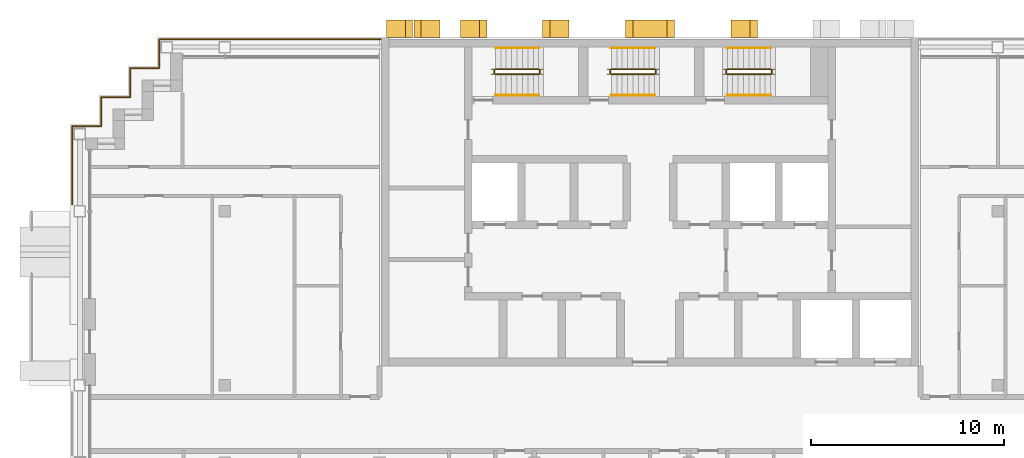
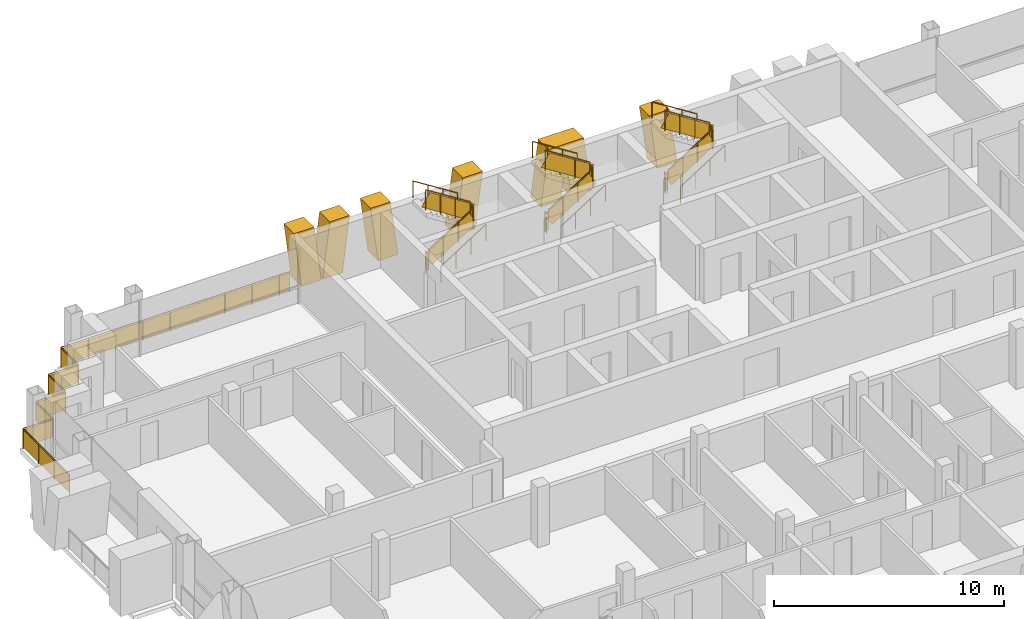
# One storey, part 15 of 16: 21 railings, 6 shading devices.
"""IFC4 building model written with IfcOpenShell, lengths in metres."""

from ifc_helpers import new_model, si_unit, direction, frame, origin, origin_2d, place, context, subcontext, project, spatial, polyline, rectangle, circle, outline, extrude, material, layer, layer_set, type_object, element, save


model = new_model("IFC4")

# Units and contexts
model_context = context("Model", 3, precision=1e-05, world=origin(), true_north=direction((0.0, 1.0)))
body_context = subcontext(model_context, "Body", "Model", "MODEL_VIEW")
ifc_project = project(units=[si_unit("LENGTHUNIT", "METRE"), si_unit("AREAUNIT", "SQUARE_METRE"), si_unit("VOLUMEUNIT", "CUBIC_METRE"), si_unit("PLANEANGLEUNIT", "RADIAN"), si_unit("MASSUNIT", "GRAM", prefix="KILO")], contexts=[model_context])

# Site, building, storey
site_placement = place(None, origin())
site = spatial("IfcSite", under=ifc_project, at=site_placement, CompositionType="ELEMENT")
building_placement = place(site_placement, origin())
building = spatial("IfcBuilding", under=site, at=building_placement, Name="Vidyagriha Tower", CompositionType="ELEMENT")
storey_placement = place(building_placement, frame((0.0, 0.0, 223.60009765625)))
storey = spatial("IfcBuildingStorey", under=building, at=storey_placement, Name="L58", CompositionType="ELEMENT", Elevation=223.60009765625)

# Shading devices
ifc_material_1 = material(Name="Precast concrete C40/50 with brick facing", Category="concrete")
ifc_layer_1 = layer(ifc_material_1, 1.0)
ifc_layer_set_1 = layer_set([ifc_layer_1], Name="Precast concrete C40/50 with brick facing")
shading_device_type_1 = type_object("IfcShadingDeviceType", Name="Brick-faced rear rib arm leaning 8 degrees", PredefinedType="USERDEFINED", material=ifc_layer_set_1)
for number, where, z_axis, x_axis, name in (
    (1, (5.5712890625, 20.449951171875, 0.0), (0.0, 0.0, 1.0), (-1.0, 0.0, 0.0), "Rear rib arm L58 R08.2a"),
    (2, (-8.4287109375, 20.449951171875, 0.0), (0.0, 0.0, 1.0), (-1.0, 0.0, 0.0), "Rear rib arm L58 R08.4a"),
):
    element("IfcShadingDevice", number, at=place(storey_placement, frame(where, z_axis=z_axis, x_axis=x_axis)), inside=storey, type_object=shading_device_type_1, Name=name, ObjectType="BLADE FIN", PredefinedType="USERDEFINED", context=body_context, shape_type="SweptSolid", body=[
        extrude(outline(polyline([(0.0, 0.0), (1.0, 0.0), (1.3857421875, 2.919921875), (0.3857421875, 2.919921875), (0.0, 0.0)])), frame((0.0, 0.449951171875, 0.0), z_axis=(0.0, -1.0, 0.0), x_axis=(1.0, 0.0, 0.0)), (0.0, 0.0, 1.0), 0.89990234375),
    ])
shading_device_1_placement = place(storey_placement, frame((-4.185791015625, 20.449951171875, 0.0), z_axis=(0.0, 0.0, 1.0), x_axis=(-1.0, 0.0, 0.0)))
element("IfcShadingDevice", 3, at=shading_device_1_placement, inside=storey, type_object=shading_device_type_1, Name="Rear rib arm L58 R08.4b", ObjectType="BLADE FIN", PredefinedType="USERDEFINED", context=body_context, shape_type="SweptSolid", body=[
    extrude(outline(polyline([(0.3857421875, 0.0), (1.3857421875, 0.0), (1.0, 2.919921875), (0.0, 2.919921875), (0.3857421875, 0.0)])), frame((0.0, 0.449951171875, 0.0), z_axis=(0.0, -1.0, 0.0), x_axis=(1.0, 0.0, 0.0)), (0.0, 0.0, 1.0), 0.89990234375),
])
shading_device_2_placement = place(storey_placement, frame((-12.28564453125, 20.449951171875, 0.0), z_axis=(0.0, 0.0, 1.0), x_axis=(-1.0, 0.0, 0.0)))
element("IfcShadingDevice", 4, at=shading_device_2_placement, inside=storey, type_object=shading_device_type_1, Name="Rear rib arm L58 R08.5a", ObjectType="BLADE FIN", PredefinedType="USERDEFINED", context=body_context, shape_type="SweptSolid", body=[
    extrude(outline(polyline([(0.0, 0.0), (1.0, 0.0), (1.357177734375, 2.919921875), (0.357177734375, 2.919921875), (0.0, 0.0)])), frame((0.0, 0.449951171875, 0.0), z_axis=(0.0, -1.0, 0.0), x_axis=(1.0, 0.0, 0.0)), (0.0, 0.0, 1.0), 0.89990234375),
])
shading_device_3_placement = place(storey_placement, frame((-10.857177734375, 20.449951171875, 0.0), z_axis=(0.0, 0.0, 1.0), x_axis=(-1.0, 0.0, 0.0)))
element("IfcShadingDevice", 5, at=shading_device_3_placement, inside=storey, type_object=shading_device_type_1, Name="Rear rib arm L58 R08.5b", ObjectType="BLADE FIN", PredefinedType="USERDEFINED", context=body_context, shape_type="SweptSolid", body=[
    extrude(outline(polyline([(0.357177734375, 0.0), (1.357177734375, 0.0), (1.0, 2.919921875), (0.0, 2.919921875), (0.357177734375, 0.0)])), frame((0.0, 0.449951171875, 0.0), z_axis=(0.0, -1.0, 0.0), x_axis=(1.0, 0.0, 0.0)), (0.0, 0.0, 1.0), 0.89990234375),
])
ifc_material_2 = material(Name="Precast concrete C40/50 with brick facing", Category="concrete")
ifc_layer_2 = layer(ifc_material_2, 1.0)
ifc_layer_set_2 = layer_set([ifc_layer_2], Name="Precast concrete C40/50 with brick facing")
shading_device_type_2 = type_object("IfcShadingDeviceType", Name="Brick-faced rear rib forking 8 degrees", PredefinedType="USERDEFINED", material=ifc_layer_set_2)
shading_device_4_placement = place(storey_placement, frame((1.271484375, 20.449951171875, 0.0), z_axis=(0.0, 0.0, 1.0), x_axis=(-1.0, 0.0, 0.0)))
element("IfcShadingDevice", 6, at=shading_device_4_placement, inside=storey, type_object=shading_device_type_2, Name="Rear rib fork L58 R08.3a", ObjectType="BLADE FIN", PredefinedType="USERDEFINED", context=body_context, shape_type="SweptSolid", body=[
    extrude(outline(polyline([(1.0, 0.0), (1.271484375, 2.0546875), (1.542724609375, 0.0), (2.542724609375, 0.0), (2.156982421875, 2.919921875), (0.3857421875, 2.919921875), (0.0, 0.0), (1.0, 0.0)])), frame((0.0, 0.449951171875, 0.0), z_axis=(0.0, -1.0, 0.0), x_axis=(1.0, 0.0, 0.0)), (0.0, 0.0, 1.0), 0.89990234375),
])

# Railings
ifc_material_3 = material(Name="Steel ASTM A500 Grade C black painted", Category="steel")
railing_type_1 = type_object("IfcRailingType", Name="Gallery guard 1100", PredefinedType="GUARDRAIL", material=ifc_material_3)
railing_1_placement = place(storey_placement, frame((-29.89990234375, 11.360107421875, 0.0)))
element("IfcRailing", 7, at=railing_1_placement, inside=storey, type_object=railing_type_1, Name="Gallery guard L58 4", PredefinedType="GUARDRAIL", context=body_context, shape_type="SweptSolid", body=[
    extrude(circle(Radius=0.02490234375, at=origin_2d()), frame((0.0, 0.0, 1.0751953125), z_axis=(0.0, 1.0, 0.0), x_axis=(-1.0, 0.0, 0.0)), (0.0, 0.0, 1.0), 4.039794921875),
    extrude(circle(Radius=0.02490234375, at=origin_2d()), frame((0.0, 4.039794921875, 1.0751953125), z_axis=(1.0, 0.0, 0.0), x_axis=(0.0, 1.0, 0.0)), (0.0, 0.0, 1.0), 1.5),
    extrude(circle(Radius=0.02490234375, at=origin_2d()), frame((1.5, 4.039794921875, 1.0751953125), z_axis=(0.0, 1.0, 0.0), x_axis=(-1.0, 0.0, 0.0)), (0.0, 0.0, 1.0), 1.5),
    extrude(circle(Radius=0.02490234375, at=origin_2d()), frame((1.5, 5.539794921875, 1.0751953125), z_axis=(1.0, 0.0, 0.0), x_axis=(0.0, 1.0, 0.0)), (0.0, 0.0, 1.0), 1.5),
    extrude(circle(Radius=0.02490234375, at=origin_2d()), frame((3.0, 5.539794921875, 1.0751953125), z_axis=(0.0, 1.0, 0.0), x_axis=(-1.0, 0.0, 0.0)), (0.0, 0.0, 1.0), 1.5),
    extrude(circle(Radius=0.02490234375, at=origin_2d()), frame((3.0, 7.039794921875, 1.0751953125), z_axis=(1.0, 0.0, 0.0), x_axis=(0.0, 1.0, 0.0)), (0.0, 0.0, 1.0), 1.5),
    extrude(circle(Radius=0.02490234375, at=origin_2d()), frame((4.5, 7.039794921875, 1.0751953125), z_axis=(0.0, 1.0, 0.0), x_axis=(-1.0, 0.0, 0.0)), (0.0, 0.0, 1.0), 0.460205078125),
    extrude(circle(Radius=0.02001953125, at=origin_2d()), origin(), (0.0, 0.0, 1.0), 1.050048828125),
    extrude(circle(Radius=0.02001953125, at=origin_2d()), frame((0.0, 1.3466796875, 0.0)), (0.0, 0.0, 1.0), 1.050048828125),
    extrude(circle(Radius=0.02001953125, at=origin_2d()), frame((0.0, 2.693115234375, 0.0)), (0.0, 0.0, 1.0), 1.050048828125),
    extrude(circle(Radius=0.02001953125, at=origin_2d()), frame((0.0, 4.039794921875, 0.0)), (0.0, 0.0, 1.0), 1.050048828125),
    extrude(circle(Radius=0.02001953125, at=origin_2d()), frame((1.5, 4.039794921875, 0.0)), (0.0, 0.0, 1.0), 1.050048828125),
    extrude(circle(Radius=0.02001953125, at=origin_2d()), frame((1.5, 5.539794921875, 0.0)), (0.0, 0.0, 1.0), 1.050048828125),
    extrude(circle(Radius=0.02001953125, at=origin_2d()), frame((3.0, 5.539794921875, 0.0)), (0.0, 0.0, 1.0), 1.050048828125),
    extrude(circle(Radius=0.02001953125, at=origin_2d()), frame((3.0, 7.039794921875, 0.0)), (0.0, 0.0, 1.0), 1.050048828125),
    extrude(circle(Radius=0.02001953125, at=origin_2d()), frame((4.5, 7.039794921875, 0.0)), (0.0, 0.0, 1.0), 1.050048828125),
    extrude(circle(Radius=0.02001953125, at=origin_2d()), frame((4.5, 7.5, 0.0)), (0.0, 0.0, 1.0), 1.050048828125),
    extrude(rectangle(XDim=0.010009765625, YDim=0.900146484375, at=origin_2d()), frame((0.0, 0.0, 0.550048828125), z_axis=(0.0, 1.0, 0.0), x_axis=(-1.0, 0.0, 0.0)), (0.0, 0.0, 1.0), 4.039794921875),
    extrude(rectangle(XDim=0.010009765625, YDim=0.900146484375, at=origin_2d()), frame((0.0, 4.039794921875, 0.550048828125), z_axis=(1.0, 0.0, 0.0), x_axis=(0.0, 1.0, 0.0)), (0.0, 0.0, 1.0), 1.5),
    extrude(rectangle(XDim=0.010009765625, YDim=0.900146484375, at=origin_2d()), frame((1.5, 4.039794921875, 0.550048828125), z_axis=(0.0, 1.0, 0.0), x_axis=(-1.0, 0.0, 0.0)), (0.0, 0.0, 1.0), 1.5),
    extrude(rectangle(XDim=0.010009765625, YDim=0.900146484375, at=origin_2d()), frame((1.5, 5.539794921875, 0.550048828125), z_axis=(1.0, 0.0, 0.0), x_axis=(0.0, 1.0, 0.0)), (0.0, 0.0, 1.0), 1.5),
    extrude(rectangle(XDim=0.010009765625, YDim=0.900146484375, at=origin_2d()), frame((3.0, 5.539794921875, 0.550048828125), z_axis=(0.0, 1.0, 0.0), x_axis=(-1.0, 0.0, 0.0)), (0.0, 0.0, 1.0), 1.5),
    extrude(rectangle(XDim=0.010009765625, YDim=0.900146484375, at=origin_2d()), frame((3.0, 7.039794921875, 0.550048828125), z_axis=(1.0, 0.0, 0.0), x_axis=(0.0, 1.0, 0.0)), (0.0, 0.0, 1.0), 1.5),
    extrude(rectangle(XDim=0.010009765625, YDim=0.900146484375, at=origin_2d()), frame((4.5, 7.039794921875, 0.550048828125), z_axis=(0.0, 1.0, 0.0), x_axis=(-1.0, 0.0, 0.0)), (0.0, 0.0, 1.0), 0.460205078125),
])
railing_2_placement = place(storey_placement, frame((-25.39990234375, 18.860107421875, 0.0)))
element("IfcRailing", 8, at=railing_2_placement, inside=storey, type_object=railing_type_1, Name="Gallery guard L58 5", PredefinedType="GUARDRAIL", context=body_context, shape_type="SweptSolid", body=[
    extrude(circle(Radius=0.02490234375, at=origin_2d()), frame((0.0, 0.0, 1.0751953125), z_axis=(0.0, 1.0, 0.0), x_axis=(-1.0, 0.0, 0.0)), (0.0, 0.0, 1.0), 1.039794921875),
    extrude(circle(Radius=0.02490234375, at=origin_2d()), frame((0.0, 1.039794921875, 1.0751953125), z_axis=(1.0, 0.0, 0.0), x_axis=(0.0, 1.0, 0.0)), (0.0, 0.0, 1.0), 10.9599609375),
    extrude(circle(Radius=0.02001953125, at=origin_2d()), origin(), (0.0, 0.0, 1.0), 1.050048828125),
    extrude(circle(Radius=0.02001953125, at=origin_2d()), frame((0.0, 1.039794921875, 0.0)), (0.0, 0.0, 1.0), 1.050048828125),
    extrude(circle(Radius=0.02001953125, at=origin_2d()), frame((1.3701171875, 1.039794921875, 0.0)), (0.0, 0.0, 1.0), 1.050048828125),
    extrude(circle(Radius=0.02001953125, at=origin_2d()), frame((2.739990234375, 1.039794921875, 0.0)), (0.0, 0.0, 1.0), 1.050048828125),
    extrude(circle(Radius=0.02001953125, at=origin_2d()), frame((4.10986328125, 1.039794921875, 0.0)), (0.0, 0.0, 1.0), 1.050048828125),
    extrude(circle(Radius=0.02001953125, at=origin_2d()), frame((5.47998046875, 1.039794921875, 0.0)), (0.0, 0.0, 1.0), 1.050048828125),
    extrude(circle(Radius=0.02001953125, at=origin_2d()), frame((6.85009765625, 1.039794921875, 0.0)), (0.0, 0.0, 1.0), 1.050048828125),
    extrude(circle(Radius=0.02001953125, at=origin_2d()), frame((8.219970703125, 1.039794921875, 0.0)), (0.0, 0.0, 1.0), 1.050048828125),
    extrude(circle(Radius=0.02001953125, at=origin_2d()), frame((9.58984375, 1.039794921875, 0.0)), (0.0, 0.0, 1.0), 1.050048828125),
    extrude(circle(Radius=0.02001953125, at=origin_2d()), frame((10.9599609375, 1.039794921875, 0.0)), (0.0, 0.0, 1.0), 1.050048828125),
    extrude(rectangle(XDim=0.010009765625, YDim=0.900146484375, at=origin_2d()), frame((0.0, 0.0, 0.550048828125), z_axis=(0.0, 1.0, 0.0), x_axis=(-1.0, 0.0, 0.0)), (0.0, 0.0, 1.0), 1.039794921875),
    extrude(rectangle(XDim=0.010009765625, YDim=0.900146484375, at=origin_2d()), frame((0.0, 1.039794921875, 0.550048828125), z_axis=(1.0, 0.0, 0.0), x_axis=(0.0, 1.0, 0.0)), (0.0, 0.0, 1.0), 10.9599609375),
])
railing_3_placement = place(storey_placement, frame((-14.43994140625, 19.89990234375, 0.0)))
element("IfcRailing", 9, at=railing_3_placement, inside=storey, type_object=railing_type_1, Name="Gallery guard L58 6", PredefinedType="GUARDRAIL", context=body_context, shape_type="SweptSolid", body=[
    extrude(circle(Radius=0.02490234375, at=origin_2d()), frame((0.0, 0.0, 1.0751953125), z_axis=(1.0, 0.0, 0.0), x_axis=(0.0, 1.0, 0.0)), (0.0, 0.0, 1.0), 0.510009765625),
    extrude(circle(Radius=0.02001953125, at=origin_2d()), origin(), (0.0, 0.0, 1.0), 1.050048828125),
    extrude(circle(Radius=0.02001953125, at=origin_2d()), frame((0.510009765625, 0.0, 0.0)), (0.0, 0.0, 1.0), 1.050048828125),
    extrude(rectangle(XDim=0.010009765625, YDim=0.900146484375, at=origin_2d()), frame((0.0, 0.0, 0.550048828125), z_axis=(1.0, 0.0, 0.0), x_axis=(0.0, 1.0, 0.0)), (0.0, 0.0, 1.0), 0.510009765625),
])
ifc_material_4 = material(Name="Steel ASTM A500 Grade C", Category="steel")
railing_type_2 = type_object("IfcRailingType", Name="Stair guard 1100 mm, steel balustrade", PredefinedType="GUARDRAIL", material=ifc_material_4)
railing_4_placement = place(storey_placement, frame((-8.0, 18.10009765625, 0.177734375)))
element("IfcRailing", 10, at=railing_4_placement, inside=storey, type_object=railing_type_2, Name="L58 ST1 stair guard 1", PredefinedType="GUARDRAIL", context=body_context, shape_type="SweptSolid", body=[
    extrude(circle(Radius=0.02392578125, at=origin_2d()), frame((0.0, 0.0, 1.076171875), z_axis=(0.8442293374, 0.0, 0.53598211339), x_axis=(0.0, 1.0, 0.0)), (0.0, 0.0, 1.0), 2.6533203125),
    extrude(circle(Radius=0.02099609375, at=origin_2d()), origin(), (0.0, 0.0, 1.0), 1.052001953125),
    extrude(circle(Radius=0.02099609375, at=origin_2d()), frame((0.74658203125, 0.0, 0.47412109375)), (0.0, 0.0, 1.0), 1.052001953125),
    extrude(circle(Radius=0.02099609375, at=origin_2d()), frame((1.493408203125, 0.0, 0.947998046875)), (0.0, 0.0, 1.0), 1.052001953125),
    extrude(circle(Radius=0.02099609375, at=origin_2d()), frame((2.239990234375, 0.0, 1.422119140625)), (0.0, 0.0, 1.0), 1.052001953125),
    extrude(rectangle(XDim=0.010009765625, YDim=0.761474609375, at=origin_2d()), frame((0.0, 0.0, 0.551025390625), z_axis=(0.8442293374, 0.0, 0.53598211339), x_axis=(0.0, 1.0, 0.0)), (0.0, 0.0, 1.0), 2.6533203125),
])
railing_5_placement = place(storey_placement, frame((-5.7099609375, 18.14990234375, 1.599853515625)))
element("IfcRailing", 11, at=railing_5_placement, inside=storey, type_object=railing_type_2, Name="L58 ST1 stair guard 2", PredefinedType="GUARDRAIL", context=body_context, shape_type="SweptSolid", body=[
    extrude(circle(Radius=0.02392578125, at=origin_2d()), frame((0.0, 0.0, 1.076171875), z_axis=(0.0, 1.0, 0.0), x_axis=(-1.0, 0.0, 0.0)), (0.0, 0.0, 1.0), 0.150146484375),
    extrude(circle(Radius=0.02099609375, at=origin_2d()), origin(), (0.0, 0.0, 1.0), 1.052001953125),
    extrude(circle(Radius=0.02099609375, at=origin_2d()), frame((0.0, 0.150146484375, 0.0)), (0.0, 0.0, 1.0), 1.052001953125),
    extrude(rectangle(XDim=0.010009765625, YDim=0.902099609375, at=origin_2d()), frame((0.0, 0.0, 0.551025390625), z_axis=(0.0, 1.0, 0.0), x_axis=(-1.0, 0.0, 0.0)), (0.0, 0.0, 1.0), 0.150146484375),
])
railing_6_placement = place(storey_placement, frame((-5.760009765625, 18.35009765625, 1.777587890625)))
element("IfcRailing", 12, at=railing_6_placement, inside=storey, type_object=railing_type_2, Name="L58 ST1 stair guard 3", PredefinedType="GUARDRAIL", context=body_context, shape_type="SweptSolid", body=[
    extrude(circle(Radius=0.02392578125, at=origin_2d()), frame((0.0, 0.0, 1.076171875), z_axis=(-0.84418770128, 0.0, 0.536047689118), x_axis=(0.0, -1.0, 0.0)), (0.0, 0.0, 1.0), 2.6533203125),
    extrude(circle(Radius=0.02099609375, at=origin_2d()), origin(), (0.0, 0.0, 1.0), 1.052001953125),
    extrude(circle(Radius=0.02099609375, at=origin_2d()), frame((-0.74658203125, 0.0, 0.47412109375)), (0.0, 0.0, 1.0), 1.052001953125),
    extrude(circle(Radius=0.02099609375, at=origin_2d()), frame((-1.493408203125, 0.0, 0.9482421875)), (0.0, 0.0, 1.0), 1.052001953125),
    extrude(circle(Radius=0.02099609375, at=origin_2d()), frame((-2.239990234375, 0.0, 1.42236328125)), (0.0, 0.0, 1.0), 1.052001953125),
    extrude(rectangle(XDim=0.010009765625, YDim=0.761474609375, at=origin_2d()), frame((0.0, 0.0, 0.551025390625), z_axis=(-0.84418770128, 0.0, 0.536047689118), x_axis=(0.0, -1.0, 0.0)), (0.0, 0.0, 1.0), 2.6533203125),
])
railing_7_placement = place(storey_placement, frame((-8.050048828125, 18.14990234375, 0.0)))
element("IfcRailing", 13, at=railing_7_placement, inside=storey, type_object=railing_type_2, Name="L58 ST1 stair guard 4", PredefinedType="GUARDRAIL", context=body_context, shape_type="SweptSolid", body=[
    extrude(circle(Radius=0.02392578125, at=origin_2d()), frame((0.0, 0.0, 1.076171875), z_axis=(0.0, 1.0, 0.0), x_axis=(-1.0, 0.0, 0.0)), (0.0, 0.0, 1.0), 0.150146484375),
    extrude(circle(Radius=0.02099609375, at=origin_2d()), origin(), (0.0, 0.0, 1.0), 1.052001953125),
    extrude(circle(Radius=0.02099609375, at=origin_2d()), frame((0.0, 0.150146484375, 0.0)), (0.0, 0.0, 1.0), 1.052001953125),
    extrude(rectangle(XDim=0.010009765625, YDim=0.902099609375, at=origin_2d()), frame((0.0, 0.0, 0.551025390625), z_axis=(0.0, 1.0, 0.0), x_axis=(-1.0, 0.0, 0.0)), (0.0, 0.0, 1.0), 0.150146484375),
])
railing_8_placement = place(storey_placement, frame((-2.0, 18.10009765625, 0.177734375)))
element("IfcRailing", 14, at=railing_8_placement, inside=storey, type_object=railing_type_2, Name="L58 ST2 stair guard 1", PredefinedType="GUARDRAIL", context=body_context, shape_type="SweptSolid", body=[
    extrude(circle(Radius=0.02392578125, at=origin_2d()), frame((0.0, 0.0, 1.076171875), z_axis=(0.8442293374, 0.0, 0.53598211339), x_axis=(0.0, 1.0, 0.0)), (0.0, 0.0, 1.0), 2.6533203125),
    extrude(circle(Radius=0.02099609375, at=origin_2d()), origin(), (0.0, 0.0, 1.0), 1.052001953125),
    extrude(circle(Radius=0.02099609375, at=origin_2d()), frame((0.74658203125, 0.0, 0.47412109375)), (0.0, 0.0, 1.0), 1.052001953125),
    extrude(circle(Radius=0.02099609375, at=origin_2d()), frame((1.493408203125, 0.0, 0.947998046875)), (0.0, 0.0, 1.0), 1.052001953125),
    extrude(circle(Radius=0.02099609375, at=origin_2d()), frame((2.239990234375, 0.0, 1.422119140625)), (0.0, 0.0, 1.0), 1.052001953125),
    extrude(rectangle(XDim=0.010009765625, YDim=0.761474609375, at=origin_2d()), frame((0.0, 0.0, 0.551025390625), z_axis=(0.8442293374, 0.0, 0.53598211339), x_axis=(0.0, 1.0, 0.0)), (0.0, 0.0, 1.0), 2.6533203125),
])
railing_9_placement = place(storey_placement, frame((0.2900390625, 18.14990234375, 1.599853515625)))
element("IfcRailing", 15, at=railing_9_placement, inside=storey, type_object=railing_type_2, Name="L58 ST2 stair guard 2", PredefinedType="GUARDRAIL", context=body_context, shape_type="SweptSolid", body=[
    extrude(circle(Radius=0.02392578125, at=origin_2d()), frame((0.0, 0.0, 1.076171875), z_axis=(0.0, 1.0, 0.0), x_axis=(-1.0, 0.0, 0.0)), (0.0, 0.0, 1.0), 0.150146484375),
    extrude(circle(Radius=0.02099609375, at=origin_2d()), origin(), (0.0, 0.0, 1.0), 1.052001953125),
    extrude(circle(Radius=0.02099609375, at=origin_2d()), frame((0.0, 0.150146484375, 0.0)), (0.0, 0.0, 1.0), 1.052001953125),
    extrude(rectangle(XDim=0.010009765625, YDim=0.902099609375, at=origin_2d()), frame((0.0, 0.0, 0.551025390625), z_axis=(0.0, 1.0, 0.0), x_axis=(-1.0, 0.0, 0.0)), (0.0, 0.0, 1.0), 0.150146484375),
])
railing_10_placement = place(storey_placement, frame((0.239990234375, 18.35009765625, 1.777587890625)))
element("IfcRailing", 16, at=railing_10_placement, inside=storey, type_object=railing_type_2, Name="L58 ST2 stair guard 3", PredefinedType="GUARDRAIL", context=body_context, shape_type="SweptSolid", body=[
    extrude(circle(Radius=0.02392578125, at=origin_2d()), frame((0.0, 0.0, 1.076171875), z_axis=(-0.84418770128, 0.0, 0.536047689118), x_axis=(0.0, -1.0, 0.0)), (0.0, 0.0, 1.0), 2.6533203125),
    extrude(circle(Radius=0.02099609375, at=origin_2d()), origin(), (0.0, 0.0, 1.0), 1.052001953125),
    extrude(circle(Radius=0.02099609375, at=origin_2d()), frame((-0.74658203125, 0.0, 0.47412109375)), (0.0, 0.0, 1.0), 1.052001953125),
    extrude(circle(Radius=0.02099609375, at=origin_2d()), frame((-1.493408203125, 0.0, 0.9482421875)), (0.0, 0.0, 1.0), 1.052001953125),
    extrude(circle(Radius=0.02099609375, at=origin_2d()), frame((-2.239990234375, 0.0, 1.42236328125)), (0.0, 0.0, 1.0), 1.052001953125),
    extrude(rectangle(XDim=0.010009765625, YDim=0.761474609375, at=origin_2d()), frame((0.0, 0.0, 0.551025390625), z_axis=(-0.84418770128, 0.0, 0.536047689118), x_axis=(0.0, -1.0, 0.0)), (0.0, 0.0, 1.0), 2.6533203125),
])
railing_11_placement = place(storey_placement, frame((-2.050048828125, 18.14990234375, 0.0)))
element("IfcRailing", 17, at=railing_11_placement, inside=storey, type_object=railing_type_2, Name="L58 ST2 stair guard 4", PredefinedType="GUARDRAIL", context=body_context, shape_type="SweptSolid", body=[
    extrude(circle(Radius=0.02392578125, at=origin_2d()), frame((0.0, 0.0, 1.076171875), z_axis=(0.0, 1.0, 0.0), x_axis=(-1.0, 0.0, 0.0)), (0.0, 0.0, 1.0), 0.150146484375),
    extrude(circle(Radius=0.02099609375, at=origin_2d()), origin(), (0.0, 0.0, 1.0), 1.052001953125),
    extrude(circle(Radius=0.02099609375, at=origin_2d()), frame((0.0, 0.150146484375, 0.0)), (0.0, 0.0, 1.0), 1.052001953125),
    extrude(rectangle(XDim=0.010009765625, YDim=0.902099609375, at=origin_2d()), frame((0.0, 0.0, 0.551025390625), z_axis=(0.0, 1.0, 0.0), x_axis=(-1.0, 0.0, 0.0)), (0.0, 0.0, 1.0), 0.150146484375),
])
railing_12_placement = place(storey_placement, frame((4.0, 18.10009765625, 0.177734375)))
element("IfcRailing", 18, at=railing_12_placement, inside=storey, type_object=railing_type_2, Name="L58 ST3 stair guard 1", PredefinedType="GUARDRAIL", context=body_context, shape_type="SweptSolid", body=[
    extrude(circle(Radius=0.02392578125, at=origin_2d()), frame((0.0, 0.0, 1.076171875), z_axis=(0.8442293374, 0.0, 0.53598211339), x_axis=(0.0, 1.0, 0.0)), (0.0, 0.0, 1.0), 2.6533203125),
    extrude(circle(Radius=0.02099609375, at=origin_2d()), origin(), (0.0, 0.0, 1.0), 1.052001953125),
    extrude(circle(Radius=0.02099609375, at=origin_2d()), frame((0.74658203125, 0.0, 0.47412109375)), (0.0, 0.0, 1.0), 1.052001953125),
    extrude(circle(Radius=0.02099609375, at=origin_2d()), frame((1.493408203125, 0.0, 0.947998046875)), (0.0, 0.0, 1.0), 1.052001953125),
    extrude(circle(Radius=0.02099609375, at=origin_2d()), frame((2.239990234375, 0.0, 1.422119140625)), (0.0, 0.0, 1.0), 1.052001953125),
    extrude(rectangle(XDim=0.010009765625, YDim=0.761474609375, at=origin_2d()), frame((0.0, 0.0, 0.551025390625), z_axis=(0.8442293374, 0.0, 0.53598211339), x_axis=(0.0, 1.0, 0.0)), (0.0, 0.0, 1.0), 2.6533203125),
])
railing_13_placement = place(storey_placement, frame((6.2900390625, 18.14990234375, 1.599853515625)))
element("IfcRailing", 19, at=railing_13_placement, inside=storey, type_object=railing_type_2, Name="L58 ST3 stair guard 2", PredefinedType="GUARDRAIL", context=body_context, shape_type="SweptSolid", body=[
    extrude(circle(Radius=0.02392578125, at=origin_2d()), frame((0.0, 0.0, 1.076171875), z_axis=(0.0, 1.0, 0.0), x_axis=(-1.0, 0.0, 0.0)), (0.0, 0.0, 1.0), 0.150146484375),
    extrude(circle(Radius=0.02099609375, at=origin_2d()), origin(), (0.0, 0.0, 1.0), 1.052001953125),
    extrude(circle(Radius=0.02099609375, at=origin_2d()), frame((0.0, 0.150146484375, 0.0)), (0.0, 0.0, 1.0), 1.052001953125),
    extrude(rectangle(XDim=0.010009765625, YDim=0.902099609375, at=origin_2d()), frame((0.0, 0.0, 0.551025390625), z_axis=(0.0, 1.0, 0.0), x_axis=(-1.0, 0.0, 0.0)), (0.0, 0.0, 1.0), 0.150146484375),
])
railing_14_placement = place(storey_placement, frame((6.239990234375, 18.35009765625, 1.777587890625)))
element("IfcRailing", 20, at=railing_14_placement, inside=storey, type_object=railing_type_2, Name="L58 ST3 stair guard 3", PredefinedType="GUARDRAIL", context=body_context, shape_type="SweptSolid", body=[
    extrude(circle(Radius=0.02392578125, at=origin_2d()), frame((0.0, 0.0, 1.076171875), z_axis=(-0.84418770128, 0.0, 0.536047689118), x_axis=(0.0, -1.0, 0.0)), (0.0, 0.0, 1.0), 2.6533203125),
    extrude(circle(Radius=0.02099609375, at=origin_2d()), origin(), (0.0, 0.0, 1.0), 1.052001953125),
    extrude(circle(Radius=0.02099609375, at=origin_2d()), frame((-0.74658203125, 0.0, 0.47412109375)), (0.0, 0.0, 1.0), 1.052001953125),
    extrude(circle(Radius=0.02099609375, at=origin_2d()), frame((-1.493408203125, 0.0, 0.9482421875)), (0.0, 0.0, 1.0), 1.052001953125),
    extrude(circle(Radius=0.02099609375, at=origin_2d()), frame((-2.239990234375, 0.0, 1.42236328125)), (0.0, 0.0, 1.0), 1.052001953125),
    extrude(rectangle(XDim=0.010009765625, YDim=0.761474609375, at=origin_2d()), frame((0.0, 0.0, 0.551025390625), z_axis=(-0.84418770128, 0.0, 0.536047689118), x_axis=(0.0, -1.0, 0.0)), (0.0, 0.0, 1.0), 2.6533203125),
])
railing_15_placement = place(storey_placement, frame((3.949951171875, 18.14990234375, 0.0)))
element("IfcRailing", 21, at=railing_15_placement, inside=storey, type_object=railing_type_2, Name="L58 ST3 stair guard 4", PredefinedType="GUARDRAIL", context=body_context, shape_type="SweptSolid", body=[
    extrude(circle(Radius=0.02392578125, at=origin_2d()), frame((0.0, 0.0, 1.076171875), z_axis=(0.0, 1.0, 0.0), x_axis=(-1.0, 0.0, 0.0)), (0.0, 0.0, 1.0), 0.150146484375),
    extrude(circle(Radius=0.02099609375, at=origin_2d()), origin(), (0.0, 0.0, 1.0), 1.052001953125),
    extrude(circle(Radius=0.02099609375, at=origin_2d()), frame((0.0, 0.150146484375, 0.0)), (0.0, 0.0, 1.0), 1.052001953125),
    extrude(rectangle(XDim=0.010009765625, YDim=0.902099609375, at=origin_2d()), frame((0.0, 0.0, 0.551025390625), z_axis=(0.0, 1.0, 0.0), x_axis=(-1.0, 0.0, 0.0)), (0.0, 0.0, 1.0), 0.150146484375),
])
ifc_material_5 = material(Name="Steel ASTM A500 Grade C", Category="steel")
railing_type_3 = type_object("IfcRailingType", Name="Stair handrail 900 mm, steel", PredefinedType="HANDRAIL", material=ifc_material_5)
railing_16_placement = place(storey_placement, frame((-8.0, 17.0, 0.177734375)))
element("IfcRailing", 22, at=railing_16_placement, inside=storey, type_object=railing_type_3, Name="L58 ST1 stair handrail 1", PredefinedType="HANDRAIL", context=body_context, shape_type="SweptSolid", body=[
    extrude(circle(Radius=0.02392578125, at=origin_2d()), frame((0.0, 0.0, 0.8759765625), z_axis=(0.8442293374, 0.0, 0.53598211339), x_axis=(0.0, 1.0, 0.0)), (0.0, 0.0, 1.0), 2.6533203125),
    extrude(circle(Radius=0.02099609375, at=origin_2d()), origin(), (0.0, 0.0, 1.0), 0.851806640625),
    extrude(circle(Radius=0.02099609375, at=origin_2d()), frame((0.74658203125, 0.0, 0.47412109375)), (0.0, 0.0, 1.0), 0.851806640625),
    extrude(circle(Radius=0.02099609375, at=origin_2d()), frame((1.493408203125, 0.0, 0.947998046875)), (0.0, 0.0, 1.0), 0.851806640625),
    extrude(circle(Radius=0.02099609375, at=origin_2d()), frame((2.239990234375, 0.0, 1.422119140625)), (0.0, 0.0, 1.0), 0.851806640625),
])
railing_17_placement = place(storey_placement, frame((-5.760009765625, 19.449951171875, 1.777587890625)))
element("IfcRailing", 23, at=railing_17_placement, inside=storey, type_object=railing_type_3, Name="L58 ST1 stair handrail 2", PredefinedType="HANDRAIL", context=body_context, shape_type="SweptSolid", body=[
    extrude(circle(Radius=0.02392578125, at=origin_2d()), frame((0.0, 0.0, 0.8759765625), z_axis=(-0.84418770128, 0.0, 0.536047689118), x_axis=(0.0, -1.0, 0.0)), (0.0, 0.0, 1.0), 2.6533203125),
    extrude(circle(Radius=0.02099609375, at=origin_2d()), origin(), (0.0, 0.0, 1.0), 0.851806640625),
    extrude(circle(Radius=0.02099609375, at=origin_2d()), frame((-0.74658203125, 0.0, 0.47412109375)), (0.0, 0.0, 1.0), 0.851806640625),
    extrude(circle(Radius=0.02099609375, at=origin_2d()), frame((-1.493408203125, 0.0, 0.9482421875)), (0.0, 0.0, 1.0), 0.851806640625),
    extrude(circle(Radius=0.02099609375, at=origin_2d()), frame((-2.239990234375, 0.0, 1.42236328125)), (0.0, 0.0, 1.0), 0.851806640625),
])
railing_18_placement = place(storey_placement, frame((-2.0, 17.0, 0.177734375)))
element("IfcRailing", 24, at=railing_18_placement, inside=storey, type_object=railing_type_3, Name="L58 ST2 stair handrail 1", PredefinedType="HANDRAIL", context=body_context, shape_type="SweptSolid", body=[
    extrude(circle(Radius=0.02392578125, at=origin_2d()), frame((0.0, 0.0, 0.8759765625), z_axis=(0.8442293374, 0.0, 0.53598211339), x_axis=(0.0, 1.0, 0.0)), (0.0, 0.0, 1.0), 2.6533203125),
    extrude(circle(Radius=0.02099609375, at=origin_2d()), origin(), (0.0, 0.0, 1.0), 0.851806640625),
    extrude(circle(Radius=0.02099609375, at=origin_2d()), frame((0.74658203125, 0.0, 0.47412109375)), (0.0, 0.0, 1.0), 0.851806640625),
    extrude(circle(Radius=0.02099609375, at=origin_2d()), frame((1.493408203125, 0.0, 0.947998046875)), (0.0, 0.0, 1.0), 0.851806640625),
    extrude(circle(Radius=0.02099609375, at=origin_2d()), frame((2.239990234375, 0.0, 1.422119140625)), (0.0, 0.0, 1.0), 0.851806640625),
])
railing_19_placement = place(storey_placement, frame((0.239990234375, 19.449951171875, 1.777587890625)))
element("IfcRailing", 25, at=railing_19_placement, inside=storey, type_object=railing_type_3, Name="L58 ST2 stair handrail 2", PredefinedType="HANDRAIL", context=body_context, shape_type="SweptSolid", body=[
    extrude(circle(Radius=0.02392578125, at=origin_2d()), frame((0.0, 0.0, 0.8759765625), z_axis=(-0.84418770128, 0.0, 0.536047689118), x_axis=(0.0, -1.0, 0.0)), (0.0, 0.0, 1.0), 2.6533203125),
    extrude(circle(Radius=0.02099609375, at=origin_2d()), origin(), (0.0, 0.0, 1.0), 0.851806640625),
    extrude(circle(Radius=0.02099609375, at=origin_2d()), frame((-0.74658203125, 0.0, 0.47412109375)), (0.0, 0.0, 1.0), 0.851806640625),
    extrude(circle(Radius=0.02099609375, at=origin_2d()), frame((-1.493408203125, 0.0, 0.9482421875)), (0.0, 0.0, 1.0), 0.851806640625),
    extrude(circle(Radius=0.02099609375, at=origin_2d()), frame((-2.239990234375, 0.0, 1.42236328125)), (0.0, 0.0, 1.0), 0.851806640625),
])
railing_20_placement = place(storey_placement, frame((4.0, 17.0, 0.177734375)))
element("IfcRailing", 26, at=railing_20_placement, inside=storey, type_object=railing_type_3, Name="L58 ST3 stair handrail 1", PredefinedType="HANDRAIL", context=body_context, shape_type="SweptSolid", body=[
    extrude(circle(Radius=0.02392578125, at=origin_2d()), frame((0.0, 0.0, 0.8759765625), z_axis=(0.8442293374, 0.0, 0.53598211339), x_axis=(0.0, 1.0, 0.0)), (0.0, 0.0, 1.0), 2.6533203125),
    extrude(circle(Radius=0.02099609375, at=origin_2d()), origin(), (0.0, 0.0, 1.0), 0.851806640625),
    extrude(circle(Radius=0.02099609375, at=origin_2d()), frame((0.74658203125, 0.0, 0.47412109375)), (0.0, 0.0, 1.0), 0.851806640625),
    extrude(circle(Radius=0.02099609375, at=origin_2d()), frame((1.493408203125, 0.0, 0.947998046875)), (0.0, 0.0, 1.0), 0.851806640625),
    extrude(circle(Radius=0.02099609375, at=origin_2d()), frame((2.239990234375, 0.0, 1.422119140625)), (0.0, 0.0, 1.0), 0.851806640625),
])
railing_21_placement = place(storey_placement, frame((6.239990234375, 19.449951171875, 1.777587890625)))
element("IfcRailing", 27, at=railing_21_placement, inside=storey, type_object=railing_type_3, Name="L58 ST3 stair handrail 2", PredefinedType="HANDRAIL", context=body_context, shape_type="SweptSolid", body=[
    extrude(circle(Radius=0.02392578125, at=origin_2d()), frame((0.0, 0.0, 0.8759765625), z_axis=(-0.84418770128, 0.0, 0.536047689118), x_axis=(0.0, -1.0, 0.0)), (0.0, 0.0, 1.0), 2.6533203125),
    extrude(circle(Radius=0.02099609375, at=origin_2d()), origin(), (0.0, 0.0, 1.0), 0.851806640625),
    extrude(circle(Radius=0.02099609375, at=origin_2d()), frame((-0.74658203125, 0.0, 0.47412109375)), (0.0, 0.0, 1.0), 0.851806640625),
    extrude(circle(Radius=0.02099609375, at=origin_2d()), frame((-1.493408203125, 0.0, 0.9482421875)), (0.0, 0.0, 1.0), 0.851806640625),
    extrude(circle(Radius=0.02099609375, at=origin_2d()), frame((-2.239990234375, 0.0, 1.42236328125)), (0.0, 0.0, 1.0), 0.851806640625),
])

save(model, "model.ifc")
